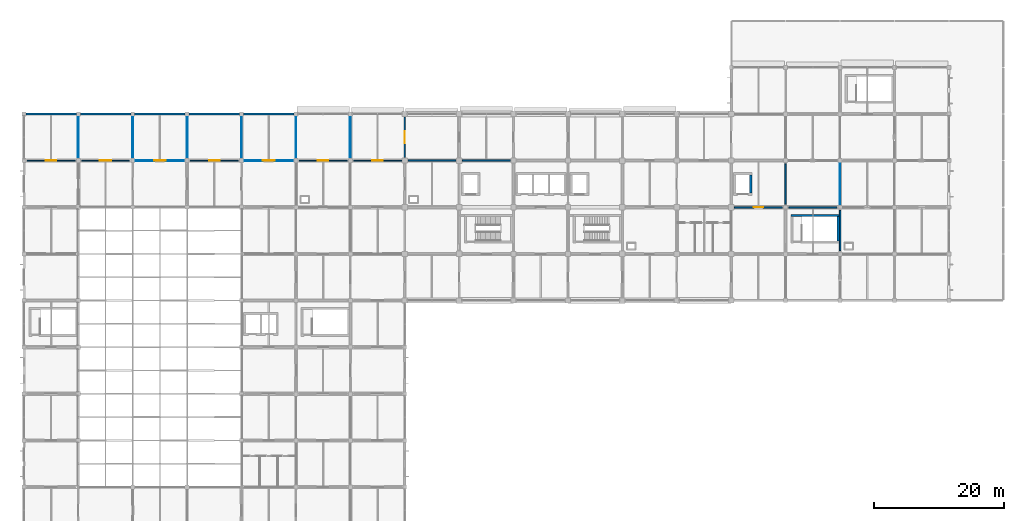
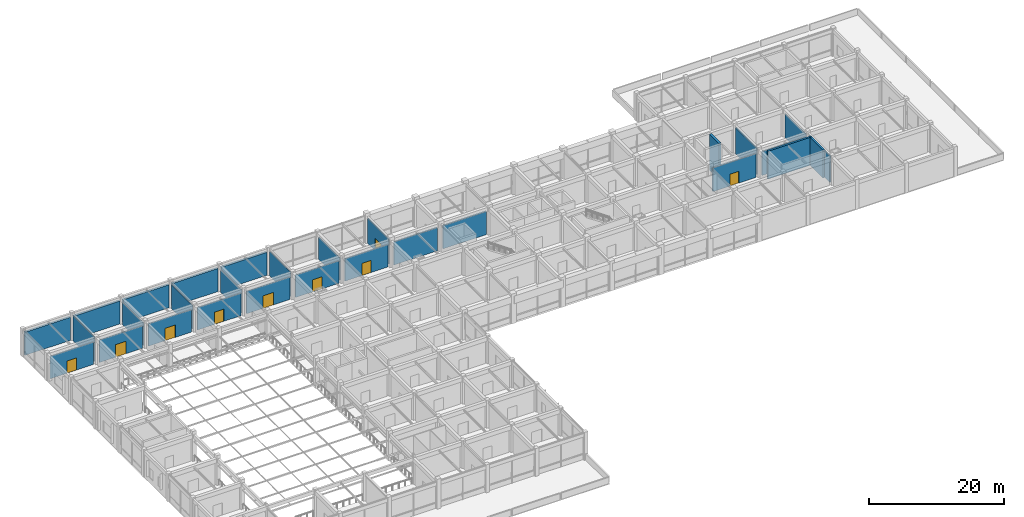
# One storey, part 29 of 38: 29 walls, 9 doors, 9 openings.
"""IFC4 building model written with IfcOpenShell, lengths in metres."""

import ifcopenshell
import ifcopenshell.guid

model = None  # the IFC model being written
_history = None  # IfcOwnerHistory: only IFC2X3 demands one
_inside = {}  # id of a spatial element -> (the spatial element, [elements in it])
_under = {}  # id of a project, library or spatial element -> (it, [spatial elements below it])
_declared = {}  # id of a project -> (the project, [libraries it declares])
_typed = {}  # id of a type object -> (the type object, [elements of that type])
_made_of = {}  # id of a material, layer set ... -> (it, [elements and type objects made of it])


def new_model(schema):
    """Start an empty IFC model of exactly this schema.

    Asked for "IFC4X3", IfcOpenShell would pick the latest addendum, in which some entities
    have other attributes; the version numbers below select the first issue.
    IFC2X3 requires an IfcOwnerHistory on every rooted entity: one is made here for all.
    """
    global model, _history
    if schema == "IFC4X3":
        model = ifcopenshell.file(schema_version=(4, 3, 0, 0))
    else:
        model = ifcopenshell.file(schema=schema)
    _inside.clear()
    _under.clear()
    _declared.clear()
    _typed.clear()
    _made_of.clear()
    _history = None
    if model.schema == "IFC2X3":
        org = make("IfcOrganization", Name="unknown")
        user = make(
            "IfcPersonAndOrganization",
            ThePerson=make("IfcPerson", FamilyName="unknown"),
            TheOrganization=org,
        )
        app = make(
            "IfcApplication",
            ApplicationDeveloper=org,
            Version="unknown",
            ApplicationFullName="unknown",
            ApplicationIdentifier="unknown",
        )
        _history = make(
            "IfcOwnerHistory",
            OwningUser=user,
            OwningApplication=app,
            ChangeAction="ADDED",
            CreationDate=0,
        )
    return model


def make(cls, **values):
    """One entity of the class cls with the attributes given. An attribute that is None is left unset."""
    return model.create_entity(
        cls, **{name: value for name, value in values.items() if value is not None}
    )


def rooted(cls, **values):
    """An entity with a GlobalId (a new one), such as an element, a storey or a relation."""
    return make(cls, GlobalId=ifcopenshell.guid.new(), OwnerHistory=_history, **values)


def si_unit(unit_type, name, prefix=None):
    """IfcSIUnit, for example si_unit("LENGTHUNIT", "METRE", prefix="MILLI")."""
    return make("IfcSIUnit", UnitType=unit_type, Prefix=prefix, Name=name)


def derived_unit(unit_type, elements):
    """IfcDerivedUnit: a product of units, each with its exponent."""
    return make(
        "IfcDerivedUnit",
        Elements=[
            make("IfcDerivedUnitElement", Unit=unit, Exponent=power)
            for unit, power in elements
        ],
        UnitType=unit_type,
    )


def assignment(units):
    """IfcUnitAssignment: the units of a project."""
    return None if units is None else make("IfcUnitAssignment", Units=units)


def point(xyz):
    """IfcCartesianPoint."""
    return None if xyz is None else make("IfcCartesianPoint", Coordinates=xyz)


def direction(xyz):
    """IfcDirection."""
    return None if xyz is None else make("IfcDirection", DirectionRatios=xyz)


def frame(location, z_axis=None, x_axis=None):
    """IfcAxis2Placement3D, a coordinate frame: its origin and axes. An axis left out is left unset."""
    return make(
        "IfcAxis2Placement3D",
        Location=point(location),
        Axis=direction(z_axis),
        RefDirection=direction(x_axis),
    )


def frame_2d(location, x_axis=None):
    """IfcAxis2Placement2D, a coordinate frame in the plane: its origin and x axis."""
    return make(
        "IfcAxis2Placement2D", Location=point(location), RefDirection=direction(x_axis)
    )


def origin():
    """The frame at (0, 0, 0) with its axes left unset."""
    return frame((0.0, 0.0, 0.0))


def place(relative_to, where):
    """IfcLocalPlacement: puts the frame where relative to a parent placement (None: the world)."""
    return make(
        "IfcLocalPlacement", PlacementRelTo=relative_to, RelativePlacement=where
    )


def context(
    kind, dimensions, precision=None, world=None, true_north=None, identifier=None
):
    """IfcGeometricRepresentationContext, for example the 3D "Model" context."""
    return make(
        "IfcGeometricRepresentationContext",
        ContextIdentifier=identifier,
        ContextType=kind,
        CoordinateSpaceDimension=dimensions,
        Precision=precision,
        WorldCoordinateSystem=world,
        TrueNorth=true_north,
    )


def subcontext(parent, identifier, kind, view, scale=None):
    """IfcGeometricRepresentationSubContext, for example "Body" below "Model"."""
    return make(
        "IfcGeometricRepresentationSubContext",
        ContextIdentifier=identifier,
        ContextType=kind,
        ParentContext=parent,
        TargetScale=scale,
        TargetView=view,
    )


def project(units=None, contexts=None):
    """IfcProject with its units and contexts."""
    return rooted(
        "IfcProject",
        Name="project",
        RepresentationContexts=contexts,
        UnitsInContext=assignment(units),
    )


def spatial(cls, under=None, at=None, **own):
    """A site, building, storey or space (cls), placed at a placement, below another one or the project."""
    s = rooted(cls, ObjectPlacement=at, **own)
    if under is not None:
        _under.setdefault(under.id(), (under, []))[1].append(s)
    return s


def profile(cls, at=None, kind="AREA", **sizes):
    """A parametric profile (cls). Its sizes go by their IFC names, for example OverallWidth=200.0."""
    return make(cls, ProfileType=kind, Position=at, **sizes)


def rectangle(**sizes):
    """IfcRectangleProfileDef."""
    return profile("IfcRectangleProfileDef", **sizes)


def extrude(swept, where, along, depth):
    """IfcExtrudedAreaSolid: the profile swept, set in the frame where, extruded along a direction by depth."""
    return make(
        "IfcExtrudedAreaSolid",
        SweptArea=swept,
        Position=where,
        ExtrudedDirection=direction(along),
        Depth=depth,
    )


def shape(context_of_items, identifier, shape_type, items):
    """IfcShapeRepresentation: the items that make up one representation, for example the "Body"."""
    return make(
        "IfcShapeRepresentation",
        ContextOfItems=context_of_items,
        RepresentationIdentifier=identifier,
        RepresentationType=shape_type,
        Items=items,
    )


def material(Name=None, Category=None):
    """IfcMaterial."""
    return make("IfcMaterial", Name=Name, Category=Category)


def layer(
    of_material, thickness, ventilated=None, Name=None, Category=None, Priority=None
):
    """IfcMaterialLayer: one layer of a wall or slab, of a material (None: an air gap)."""
    return make(
        "IfcMaterialLayer",
        Material=of_material,
        LayerThickness=thickness,
        IsVentilated=ventilated,
        Name=Name,
        Category=Category,
        Priority=Priority,
    )


def layer_set(layers, Name=None):
    """IfcMaterialLayerSet."""
    return make("IfcMaterialLayerSet", MaterialLayers=layers, LayerSetName=Name)


def made_of(thing, what):
    """Note that an element or type object is made of a material, layer set ...; save() writes the relation."""
    if what is not None:
        _made_of.setdefault(what.id(), (what, []))[1].append(thing)
    return thing


def type_object(cls, material=None, **own):
    """A type object (cls), such as IfcWallType, which elements share."""
    return made_of(rooted(cls, **own), material)


def element(
    cls,
    number,
    at=None,
    inside=None,
    cuts=None,
    type_object=None,
    material=None,
    context=None,
    identifier="Body",
    shape_type=None,
    held_by="IfcProductDefinitionShape",
    body=None,
    shapes=None,
    **own,
):
    """One element of the class cls, such as IfcWall. Its Tag is "e" and its number.

    at: its placement. inside: the storey or other place that contains it. cuts: it is an
    opening in that element (IfcRelVoidsElement). A single representation is given by context,
    identifier, shape_type and body (its items); several are given by shapes. held_by: the class
    of the entity that holds the representations. save() writes the other relations.
    """
    e = rooted(cls, Tag="e%d" % number, ObjectPlacement=at, **own)
    if body is not None:
        shapes = [shape(context, identifier, shape_type, body)]
    if shapes is not None:
        e.Representation = make(held_by, Representations=shapes)
    if inside is not None:
        _inside.setdefault(inside.id(), (inside, []))[1].append(e)
    if cuts is not None:
        rooted(
            "IfcRelVoidsElement", RelatingBuildingElement=cuts, RelatedOpeningElement=e
        )
    if type_object is not None:
        _typed.setdefault(type_object.id(), (type_object, []))[1].append(e)
    return made_of(e, material)


def fill(opening, filler):
    """IfcRelFillsElement: the door or window that sits in an opening."""
    return rooted(
        "IfcRelFillsElement",
        RelatingOpeningElement=opening,
        RelatedBuildingElement=filler,
    )


def aggregate(whole, parts):
    """IfcRelAggregates: a whole, such as a stair, and the parts it consists of."""
    return rooted("IfcRelAggregates", RelatingObject=whole, RelatedObjects=parts)


def save(model, path):
    """Write the relations noted so far, then the file.

    IfcRelAggregates (storeys below a building ...), IfcRelContainedInSpatialStructure (elements
    in a storey), IfcRelDefinesByType, IfcRelAssociatesMaterial and IfcRelDeclares: one each for
    every whole, place, type object, material and project.
    """
    for whole, parts in _under.values():
        aggregate(whole, parts)
    for where, things in _inside.values():
        rooted(
            "IfcRelContainedInSpatialStructure",
            RelatedElements=things,
            RelatingStructure=where,
        )
    for kind, things in _typed.values():
        rooted("IfcRelDefinesByType", RelatedObjects=things, RelatingType=kind)
    for what, things in _made_of.values():
        rooted("IfcRelAssociatesMaterial", RelatedObjects=things, RelatingMaterial=what)
    for by, libraries in _declared.values():
        rooted("IfcRelDeclares", RelatingContext=by, RelatedDefinitions=libraries)
    model.write(path)


model = new_model("IFC4")

# Units and contexts
model_context = context("Model", 3, precision=1e-05, world=origin(), true_north=direction((0.0, 1.0)))
body_context = subcontext(model_context, "Body", "Model", "MODEL_VIEW")
ifc_project = project(units=[si_unit("LENGTHUNIT", "METRE"), si_unit("AREAUNIT", "SQUARE_METRE"), si_unit("VOLUMEUNIT", "CUBIC_METRE"), si_unit("PLANEANGLEUNIT", "RADIAN"), si_unit("MASSUNIT", "GRAM", prefix="KILO"), derived_unit("THERMALTRANSMITTANCEUNIT", [(si_unit("MASSUNIT", "GRAM", prefix="KILO"), 1), (si_unit("TIMEUNIT", "SECOND"), -3), (si_unit("THERMODYNAMICTEMPERATUREUNIT", "KELVIN"), -1)])], contexts=[model_context])

# Site, building, storey
site_placement = place(None, origin())
site = spatial("IfcSite", under=ifc_project, at=site_placement, CompositionType="ELEMENT")
building_placement = place(site_placement, origin())
building = spatial("IfcBuilding", under=site, at=building_placement, Name="Veldstrom Oceanarium and Marine Research Institute", CompositionType="ELEMENT")
storey_placement = place(building_placement, frame((0.0, 0.0, 16.800048828125)))
storey = spatial("IfcBuildingStorey", under=building, at=storey_placement, Name="L03", CompositionType="ELEMENT", Elevation=16.800048828125)

# Walls
ifc_material_1 = material(Name="Masonry Cavity Wall", Category="masonry")
ifc_layer_1 = layer(ifc_material_1, 0.340087890625)
ifc_layer_set_1 = layer_set([ifc_layer_1], Name="ARC-WAL-EW4")
wall_type_1 = type_object("IfcWallType", Name="ARC-WAL-EW4", PredefinedType="SOLIDWALL", material=ifc_layer_set_1)
wall_1_placement = place(storey_placement, frame((8.699951171875, 72.0, 0.0), z_axis=(0.0, 0.0, 1.0), x_axis=(1.0, 0.0, 0.0)))
element("IfcWall", 1, at=wall_1_placement, inside=storey, type_object=wall_type_1, Name="Exterior Facade Wall EW4 L03-153", PredefinedType="SOLIDWALL", context=body_context, shape_type="SweptSolid", body=[
    extrude(rectangle(XDim=7.800048828125, YDim=0.340087890625, at=frame_2d((3.89990234375, 0.0))), origin(), (0.0, 0.0, 1.0), 4.169921875),
])
wall_2_placement = place(storey_placement, frame((17.10009765625, 72.0, 0.0), z_axis=(0.0, 0.0, 1.0), x_axis=(1.0, 0.0, 0.0)))
element("IfcWall", 2, at=wall_2_placement, inside=storey, type_object=wall_type_1, Name="Exterior Facade Wall EW4 L03-154", PredefinedType="SOLIDWALL", context=body_context, shape_type="SweptSolid", body=[
    extrude(rectangle(XDim=7.7998046875, YDim=0.340087890625, at=frame_2d((3.89990234375, 0.0))), origin(), (0.0, 0.0, 1.0), 4.169921875),
])
for number, where, z_axis, x_axis, name in (
    (3, (25.5, 72.0, 0.0), (0.0, 0.0, 1.0), (1.0, 0.0, 0.0), "Exterior Facade Wall EW4 L03-155"),
    (4, (33.89990234375, 72.0, 0.0), (0.0, 0.0, 1.0), (1.0, 0.0, 0.0), "Exterior Facade Wall EW4 L03-156"),
    (5, (42.300048828125, 72.0, 0.0), (0.0, 0.0, 1.0), (1.0, 0.0, 0.0), "Exterior Facade Wall EW4 L03-157"),
):
    element("IfcWall", number, at=place(storey_placement, frame(where, z_axis=z_axis, x_axis=x_axis)), inside=storey, type_object=wall_type_1, Name=name, PredefinedType="SOLIDWALL", context=body_context, shape_type="SweptSolid", body=[
        extrude(rectangle(XDim=7.800048828125, YDim=0.340087890625, at=frame_2d((3.89990234375, 0.0))), origin(), (0.0, 0.0, 1.0), 4.169921875),
    ])
ifc_material_2 = material(Name="Masonry Fire Compartment Wall", Category="masonry")
ifc_layer_2 = layer(ifc_material_2, 0.22998046875)
ifc_layer_set_2 = layer_set([ifc_layer_2], Name="ARC-WAL-PT1")
wall_type_2 = type_object("IfcWallType", Name="ARC-WAL-PT1", PredefinedType="PARTITIONING", material=ifc_layer_set_2)
wall_3_placement = place(storey_placement, frame((76.10009765625, 64.800048828125, 0.0), z_axis=(0.0, 0.0, 1.0), x_axis=(1.0, 0.0, 0.0)))
element("IfcWall", 6, at=wall_3_placement, inside=storey, type_object=wall_type_2, Name="Interior Partition PT1 L03-1336", PredefinedType="PARTITIONING", context=body_context, shape_type="SweptSolid", body=[
    extrude(rectangle(XDim=7.39990234375, YDim=0.22998046875, at=frame_2d((3.699951171875, 0.0))), origin(), (0.0, 0.0, 1.0), 4.195068359375),
])

# Wall, opening, door
wall_4_placement = place(storey_placement, frame((118.10009765625, 57.60009765625, 0.0), z_axis=(0.0, 0.0, 1.0), x_axis=(1.0, 0.0, 0.0)))
wall_4 = element("IfcWall", 7, at=wall_4_placement, inside=storey, type_object=wall_type_2, Name="Interior Partition PT1 L03-1369", PredefinedType="PARTITIONING", context=body_context, shape_type="SweptSolid", body=[
    extrude(rectangle(XDim=7.39990234375, YDim=0.22998046875, at=frame_2d((3.699951171875, 0.0))), origin(), (0.0, 0.0, 1.0), 4.294921875),
])
opening_1_placement = place(wall_4_placement, frame((2.949951171875, 0.0, 0.0)))
opening_1 = element("IfcOpeningElement", 8, at=opening_1_placement, cuts=wall_4, Name="Opening D-L03-808", PredefinedType="OPENING", context=body_context, shape_type="SweptSolid", body=[
    extrude(rectangle(XDim=1.5, YDim=2.14990234375, at=frame_2d((0.75, 1.074951171875))), frame((0.0, 0.125, 0.0), z_axis=(0.0, -1.0, 0.0), x_axis=(1.0, 0.0, 0.0)), (0.0, 0.0, 1.0), 0.25),
])
ifc_material_3 = material(Name="Painted Steel Lobby Fire Door", Category="steel")
door_type_1 = type_object("IfcDoorType", Name="ARC-DOR-SD2", OperationType="DOUBLE_DOOR_SINGLE_SWING", PredefinedType="DOOR", material=ifc_material_3)
door_1_placement = place(opening_1_placement, frame((1.5, 0.0, 0.0), z_axis=(0.0, 0.0, 1.0), x_axis=(-1.0, 0.0, 0.0)))
door_1 = element("IfcDoor", 9, at=door_1_placement, inside=storey, type_object=door_type_1, Name="Interior Door D-L03-808", OperationType="DOUBLE_DOOR_SINGLE_SWING", OverallHeight=2.14990234375, OverallWidth=1.5, PredefinedType="DOOR", context=body_context, shape_type="SweptSolid", body=[
    extrude(rectangle(XDim=1.5, YDim=2.14990234375, at=frame_2d((0.75, 1.074951171875))), frame((0.0, 0.02490234375, 0.0), z_axis=(0.0, -1.0, 0.0), x_axis=(1.0, 0.0, 0.0)), (0.0, 0.0, 1.0), 0.050048828125),
])
fill(opening_1, door_1)

# Walls
wall_5_placement = place(storey_placement, frame((126.0, 58.10009765625, 0.0), z_axis=(0.0, 0.0, 1.0), x_axis=(0.0, 1.0, 0.0)))
element("IfcWall", 10, at=wall_5_placement, inside=storey, type_object=wall_type_2, Name="Interior Partition PT1 L03-1370", PredefinedType="PARTITIONING", context=body_context, shape_type="SweptSolid", body=[
    extrude(rectangle(XDim=6.199951171875, YDim=0.22998046875, at=frame_2d((3.10009765625, 0.0))), origin(), (0.0, 0.0, 1.0), 4.7548828125),
])
wall_6_placement = place(storey_placement, frame((134.39990234375, 50.89990234375, 0.0), z_axis=(0.0, 0.0, 1.0), x_axis=(0.0, 1.0, 0.0)))
element("IfcWall", 11, at=wall_6_placement, inside=storey, type_object=wall_type_2, Name="Interior Partition PT1 L03-1377", PredefinedType="PARTITIONING", context=body_context, shape_type="SweptSolid", body=[
    extrude(rectangle(XDim=6.2001953125, YDim=0.22998046875, at=frame_2d((3.10009765625, 0.0))), origin(), (0.0, 0.0, 1.0), 4.7548828125),
])
wall_7_placement = place(storey_placement, frame((126.5, 57.60009765625, 0.0), z_axis=(0.0, 0.0, 1.0), x_axis=(1.0, 0.0, 0.0)))
element("IfcWall", 12, at=wall_7_placement, inside=storey, type_object=wall_type_2, Name="Interior Partition PT1 L03-1378", PredefinedType="PARTITIONING", context=body_context, shape_type="SweptSolid", body=[
    extrude(rectangle(XDim=7.39990234375, YDim=0.22998046875, at=frame_2d((3.699951171875, 0.0))), origin(), (0.0, 0.0, 1.0), 4.294921875),
])

# Wall, opening, door
ifc_material_4 = material(Name="Masonry Acoustic Lab Partition", Category="masonry")
ifc_layer_3 = layer(ifc_material_4, 0.205078125)
ifc_layer_set_3 = layer_set([ifc_layer_3], Name="ARC-WAL-PT2")
wall_type_3 = type_object("IfcWallType", Name="ARC-WAL-PT2", PredefinedType="PARTITIONING", material=ifc_layer_set_3)
wall_8_placement = place(storey_placement, frame((67.199951171875, 65.300048828125, 0.0), z_axis=(0.0, 0.0, 1.0), x_axis=(0.0, 1.0, 0.0)))
wall_8 = element("IfcWall", 13, at=wall_8_placement, inside=storey, type_object=wall_type_3, Name="Interior Partition PT2 L03-1323", PredefinedType="PARTITIONING", context=body_context, shape_type="SweptSolid", body=[
    extrude(rectangle(XDim=6.199951171875, YDim=0.205078125, at=frame_2d((3.10009765625, 0.0))), origin(), (0.0, 0.0, 1.0), 4.530029296875),
])
opening_2_placement = place(wall_8_placement, frame((2.199951171875, 0.0, 0.0)))
opening_2 = element("IfcOpeningElement", 14, at=opening_2_placement, cuts=wall_8, Name="Opening D-L03-780", PredefinedType="OPENING", context=body_context, shape_type="SweptSolid", body=[
    extrude(rectangle(XDim=1.800048828125, YDim=2.25, at=frame_2d((0.89990234375, 1.125))), frame((0.0, 0.112548828125, 0.0), z_axis=(0.0, -1.0, 0.0), x_axis=(1.0, 0.0, 0.0)), (0.0, 0.0, 1.0), 0.22509765625),
])
ifc_material_5 = material(Name="Acoustic Timber Gallery Door", Category="wood")
door_type_2 = type_object("IfcDoorType", Name="ARC-DOR-ID01", OperationType="DOUBLE_DOOR_SINGLE_SWING", PredefinedType="DOOR", material=ifc_material_5)
door_2_placement = place(opening_2_placement, frame((1.800048828125, 0.0, 0.0), z_axis=(0.0, 0.0, 1.0), x_axis=(-1.0, 0.0, 0.0)))
door_2 = element("IfcDoor", 15, at=door_2_placement, inside=storey, type_object=door_type_2, Name="Interior Door D-L03-780", OperationType="DOUBLE_DOOR_SINGLE_SWING", OverallHeight=2.25, OverallWidth=1.800048828125, PredefinedType="DOOR", context=body_context, shape_type="SweptSolid", body=[
    extrude(rectangle(XDim=1.800048828125, YDim=2.25, at=frame_2d((0.89990234375, 1.125))), frame((0.0, 0.02490234375, 0.0), z_axis=(0.0, -1.0, 0.0), x_axis=(1.0, 0.0, 0.0)), (0.0, 0.0, 1.0), 0.050048828125),
])
fill(opening_2, door_2)

# Wall
wall_9_placement = place(storey_placement, frame((67.699951171875, 64.800048828125, 0.0), z_axis=(0.0, 0.0, 1.0), x_axis=(1.0, 0.0, 0.0)))
element("IfcWall", 16, at=wall_9_placement, inside=storey, type_object=wall_type_3, Name="Interior Partition PT2 L03-1329", PredefinedType="PARTITIONING", context=body_context, shape_type="SweptSolid", body=[
    extrude(rectangle(XDim=7.400146484375, YDim=0.205078125, at=frame_2d((3.7001953125, 0.0))), origin(), (0.0, 0.0, 1.0), 4.195068359375),
])

# Wall, opening, door
ifc_material_6 = material(Name="Drywall Corridor Partition", Category="gypsum")
ifc_layer_4 = layer(ifc_material_6, 0.155029296875)
ifc_layer_set_4 = layer_set([ifc_layer_4], Name="ARC-WAL-PT4")
wall_type_4 = type_object("IfcWallType", Name="ARC-WAL-PT4", PredefinedType="PARTITIONING", material=ifc_layer_set_4)
wall_10_placement = place(storey_placement, frame((17.300048828125, 64.800048828125, 0.0), z_axis=(0.0, 0.0, 1.0), x_axis=(1.0, 0.0, 0.0)))
wall_10 = element("IfcWall", 17, at=wall_10_placement, inside=storey, type_object=wall_type_4, Name="Interior Partition PT4 L03-1268", PredefinedType="PARTITIONING", context=body_context, shape_type="SweptSolid", body=[
    extrude(rectangle(XDim=7.39990234375, YDim=0.155029296875, at=frame_2d((3.699951171875, 0.0))), origin(), (0.0, 0.0, 1.0), 4.070068359375),
])
opening_3_placement = place(wall_10_placement, frame((2.800048828125, 0.0, 0.0)))
opening_3 = element("IfcOpeningElement", 18, at=opening_3_placement, cuts=wall_10, Name="Opening D-L03-746", PredefinedType="OPENING", context=body_context, shape_type="SweptSolid", body=[
    extrude(rectangle(XDim=1.800048828125, YDim=2.25, at=frame_2d((0.89990234375, 1.125))), frame((0.0, 0.08740234375, 0.0), z_axis=(0.0, -1.0, 0.0), x_axis=(1.0, 0.0, 0.0)), (0.0, 0.0, 1.0), 0.175048828125),
])
door_3_placement = place(opening_3_placement, frame((1.800048828125, 0.0, 0.0), z_axis=(0.0, 0.0, 1.0), x_axis=(-1.0, 0.0, 0.0)))
door_3 = element("IfcDoor", 19, at=door_3_placement, inside=storey, type_object=door_type_2, Name="Interior Door D-L03-746", OperationType="DOUBLE_DOOR_SINGLE_SWING", OverallHeight=2.25, OverallWidth=1.800048828125, PredefinedType="DOOR", context=body_context, shape_type="SweptSolid", body=[
    extrude(rectangle(XDim=1.800048828125, YDim=2.25, at=frame_2d((0.89990234375, 1.125))), frame((0.0, 0.02490234375, 0.0), z_axis=(0.0, -1.0, 0.0), x_axis=(1.0, 0.0, 0.0)), (0.0, 0.0, 1.0), 0.050048828125),
])
fill(opening_3, door_3)

wall_11_placement = place(storey_placement, frame((34.10009765625, 64.800048828125, 0.0), z_axis=(0.0, 0.0, 1.0), x_axis=(1.0, 0.0, 0.0)))
wall_11 = element("IfcWall", 20, at=wall_11_placement, inside=storey, type_object=wall_type_4, Name="Interior Partition PT4 L03-1276", PredefinedType="PARTITIONING", context=body_context, shape_type="SweptSolid", body=[
    extrude(rectangle(XDim=7.39990234375, YDim=0.155029296875, at=frame_2d((3.699951171875, 0.0))), origin(), (0.0, 0.0, 1.0), 4.070068359375),
])
opening_4_placement = place(wall_11_placement, frame((2.89990234375, 0.0, 0.0)))
opening_4 = element("IfcOpeningElement", 21, at=opening_4_placement, cuts=wall_11, Name="Opening D-L03-751", PredefinedType="OPENING", context=body_context, shape_type="SweptSolid", body=[
    extrude(rectangle(XDim=1.60009765625, YDim=2.199951171875, at=frame_2d((0.800048828125, 1.10009765625))), frame((0.0, 0.08740234375, 0.0), z_axis=(0.0, -1.0, 0.0), x_axis=(1.0, 0.0, 0.0)), (0.0, 0.0, 1.0), 0.175048828125),
])
ifc_material_7 = material(Name="Acoustic Timber Corridor Door", Category="wood")
door_type_3 = type_object("IfcDoorType", Name="ARC-DOR-ID02", OperationType="DOUBLE_DOOR_SINGLE_SWING", PredefinedType="DOOR", material=ifc_material_7)
door_4_placement = place(opening_4_placement, frame((1.60009765625, 0.0, 0.0), z_axis=(0.0, 0.0, 1.0), x_axis=(-1.0, 0.0, 0.0)))
door_4 = element("IfcDoor", 22, at=door_4_placement, inside=storey, type_object=door_type_3, Name="Interior Door D-L03-751", OperationType="DOUBLE_DOOR_SINGLE_SWING", OverallHeight=2.199951171875, OverallWidth=1.60009765625, PredefinedType="DOOR", context=body_context, shape_type="SweptSolid", body=[
    extrude(rectangle(XDim=1.60009765625, YDim=2.199951171875, at=frame_2d((0.800048828125, 1.10009765625))), frame((0.0, 0.02490234375, 0.0), z_axis=(0.0, -1.0, 0.0), x_axis=(1.0, 0.0, 0.0)), (0.0, 0.0, 1.0), 0.050048828125),
])
fill(opening_4, door_4)

wall_12_placement = place(storey_placement, frame((50.89990234375, 64.800048828125, 0.0), z_axis=(0.0, 0.0, 1.0), x_axis=(1.0, 0.0, 0.0)))
wall_12 = element("IfcWall", 23, at=wall_12_placement, inside=storey, type_object=wall_type_4, Name="Interior Partition PT4 L03-1310", PredefinedType="PARTITIONING", context=body_context, shape_type="SweptSolid", body=[
    extrude(rectangle(XDim=7.400146484375, YDim=0.155029296875, at=frame_2d((3.7001953125, 0.0))), origin(), (0.0, 0.0, 1.0), 4.070068359375),
])
opening_5_placement = place(wall_12_placement, frame((2.89990234375, 0.0, 0.0)))
opening_5 = element("IfcOpeningElement", 24, at=opening_5_placement, cuts=wall_12, Name="Opening D-L03-769", PredefinedType="OPENING", context=body_context, shape_type="SweptSolid", body=[
    extrude(rectangle(XDim=1.60009765625, YDim=2.199951171875, at=frame_2d((0.800048828125, 1.10009765625))), frame((0.0, 0.08740234375, 0.0), z_axis=(0.0, -1.0, 0.0), x_axis=(1.0, 0.0, 0.0)), (0.0, 0.0, 1.0), 0.175048828125),
])
door_5_placement = place(opening_5_placement, frame((1.60009765625, 0.0, 0.0), z_axis=(0.0, 0.0, 1.0), x_axis=(-1.0, 0.0, 0.0)))
door_5 = element("IfcDoor", 25, at=door_5_placement, inside=storey, type_object=door_type_3, Name="Interior Door D-L03-769", OperationType="DOUBLE_DOOR_SINGLE_SWING", OverallHeight=2.199951171875, OverallWidth=1.60009765625, PredefinedType="DOOR", context=body_context, shape_type="SweptSolid", body=[
    extrude(rectangle(XDim=1.60009765625, YDim=2.199951171875, at=frame_2d((0.800048828125, 1.10009765625))), frame((0.0, 0.02490234375, 0.0), z_axis=(0.0, -1.0, 0.0), x_axis=(1.0, 0.0, 0.0)), (0.0, 0.0, 1.0), 0.050048828125),
])
fill(opening_5, door_5)

ifc_material_8 = material(Name="Moisture-Resistant Wet-Area Partition", Category="masonry")
ifc_layer_5 = layer(ifc_material_8, 0.139892578125)
ifc_layer_set_5 = layer_set([ifc_layer_5], Name="ARC-WAL-PT5")
wall_type_5 = type_object("IfcWallType", Name="ARC-WAL-PT5", PredefinedType="PARTITIONING", material=ifc_layer_set_5)
wall_13_placement = place(storey_placement, frame((8.89990234375, 64.800048828125, 0.0), z_axis=(0.0, 0.0, 1.0), x_axis=(1.0, 0.0, 0.0)))
wall_13 = element("IfcWall", 26, at=wall_13_placement, inside=storey, type_object=wall_type_5, Name="Interior Partition PT5 L03-1264", PredefinedType="PARTITIONING", context=body_context, shape_type="SweptSolid", body=[
    extrude(rectangle(XDim=7.400146484375, YDim=0.139892578125, at=frame_2d((3.7001953125, 0.0))), origin(), (0.0, 0.0, 1.0), 4.070068359375),
])
opening_6_placement = place(wall_13_placement, frame((2.89990234375, 0.0, 0.0)))
opening_6 = element("IfcOpeningElement", 27, at=opening_6_placement, cuts=wall_13, Name="Opening D-L03-743", PredefinedType="OPENING", context=body_context, shape_type="SweptSolid", body=[
    extrude(rectangle(XDim=1.60009765625, YDim=2.199951171875, at=frame_2d((0.800048828125, 1.10009765625))), frame((0.0, 0.079833984375, 0.0), z_axis=(0.0, -1.0, 0.0), x_axis=(1.0, 0.0, 0.0)), (0.0, 0.0, 1.0), 0.159912109375),
])
door_6_placement = place(opening_6_placement, origin())
door_6 = element("IfcDoor", 28, at=door_6_placement, inside=storey, type_object=door_type_3, Name="Interior Door D-L03-743", OperationType="DOUBLE_DOOR_SINGLE_SWING", OverallHeight=2.199951171875, OverallWidth=1.60009765625, PredefinedType="DOOR", context=body_context, shape_type="SweptSolid", body=[
    extrude(rectangle(XDim=1.60009765625, YDim=2.199951171875, at=frame_2d((0.800048828125, 1.10009765625))), frame((0.0, 0.02490234375, 0.0), z_axis=(0.0, -1.0, 0.0), x_axis=(1.0, 0.0, 0.0)), (0.0, 0.0, 1.0), 0.050048828125),
])
fill(opening_6, door_6)

wall_14_placement = place(storey_placement, frame((25.699951171875, 64.800048828125, 0.0), z_axis=(0.0, 0.0, 1.0), x_axis=(1.0, 0.0, 0.0)))
wall_14 = element("IfcWall", 29, at=wall_14_placement, inside=storey, type_object=wall_type_5, Name="Interior Partition PT5 L03-1272", PredefinedType="PARTITIONING", context=body_context, shape_type="SweptSolid", body=[
    extrude(rectangle(XDim=7.400146484375, YDim=0.139892578125, at=frame_2d((3.7001953125, 0.0))), origin(), (0.0, 0.0, 1.0), 4.070068359375),
])
opening_7_placement = place(wall_14_placement, frame((2.800048828125, 0.0, 0.0)))
opening_7 = element("IfcOpeningElement", 30, at=opening_7_placement, cuts=wall_14, Name="Opening D-L03-748", PredefinedType="OPENING", context=body_context, shape_type="SweptSolid", body=[
    extrude(rectangle(XDim=1.800048828125, YDim=2.25, at=frame_2d((0.89990234375, 1.125))), frame((0.0, 0.079833984375, 0.0), z_axis=(0.0, -1.0, 0.0), x_axis=(1.0, 0.0, 0.0)), (0.0, 0.0, 1.0), 0.159912109375),
])
door_7_placement = place(opening_7_placement, origin())
door_7 = element("IfcDoor", 31, at=door_7_placement, inside=storey, type_object=door_type_2, Name="Interior Door D-L03-748", OperationType="DOUBLE_DOOR_SINGLE_SWING", OverallHeight=2.25, OverallWidth=1.800048828125, PredefinedType="DOOR", context=body_context, shape_type="SweptSolid", body=[
    extrude(rectangle(XDim=1.800048828125, YDim=2.25, at=frame_2d((0.89990234375, 1.125))), frame((0.0, 0.02490234375, 0.0), z_axis=(0.0, -1.0, 0.0), x_axis=(1.0, 0.0, 0.0)), (0.0, 0.0, 1.0), 0.050048828125),
])
fill(opening_7, door_7)

wall_15_placement = place(storey_placement, frame((42.5, 64.800048828125, 0.0), z_axis=(0.0, 0.0, 1.0), x_axis=(1.0, 0.0, 0.0)))
wall_15 = element("IfcWall", 32, at=wall_15_placement, inside=storey, type_object=wall_type_5, Name="Interior Partition PT5 L03-1293", PredefinedType="PARTITIONING", context=body_context, shape_type="SweptSolid", body=[
    extrude(rectangle(XDim=7.39990234375, YDim=0.139892578125, at=frame_2d((3.699951171875, 0.0))), origin(), (0.0, 0.0, 1.0), 4.070068359375),
])
opening_8_placement = place(wall_15_placement, frame((2.800048828125, 0.0, 0.0)))
opening_8 = element("IfcOpeningElement", 33, at=opening_8_placement, cuts=wall_15, Name="Opening D-L03-760", PredefinedType="OPENING", context=body_context, shape_type="SweptSolid", body=[
    extrude(rectangle(XDim=1.800048828125, YDim=2.25, at=frame_2d((0.89990234375, 1.125))), frame((0.0, 0.079833984375, 0.0), z_axis=(0.0, -1.0, 0.0), x_axis=(1.0, 0.0, 0.0)), (0.0, 0.0, 1.0), 0.159912109375),
])
door_8_placement = place(opening_8_placement, origin())
door_8 = element("IfcDoor", 34, at=door_8_placement, inside=storey, type_object=door_type_2, Name="Interior Door D-L03-760", OperationType="DOUBLE_DOOR_SINGLE_SWING", OverallHeight=2.25, OverallWidth=1.800048828125, PredefinedType="DOOR", context=body_context, shape_type="SweptSolid", body=[
    extrude(rectangle(XDim=1.800048828125, YDim=2.25, at=frame_2d((0.89990234375, 1.125))), frame((0.0, 0.02490234375, 0.0), z_axis=(0.0, -1.0, 0.0), x_axis=(1.0, 0.0, 0.0)), (0.0, 0.0, 1.0), 0.050048828125),
])
fill(opening_8, door_8)

wall_16_placement = place(storey_placement, frame((59.300048828125, 64.800048828125, 0.0), z_axis=(0.0, 0.0, 1.0), x_axis=(1.0, 0.0, 0.0)))
wall_16 = element("IfcWall", 35, at=wall_16_placement, inside=storey, type_object=wall_type_5, Name="Interior Partition PT5 L03-1322", PredefinedType="PARTITIONING", context=body_context, shape_type="SweptSolid", body=[
    extrude(rectangle(XDim=7.39990234375, YDim=0.139892578125, at=frame_2d((3.699951171875, 0.0))), origin(), (0.0, 0.0, 1.0), 4.070068359375),
])
opening_9_placement = place(wall_16_placement, frame((2.89990234375, 0.0, 0.0)))
opening_9 = element("IfcOpeningElement", 36, at=opening_9_placement, cuts=wall_16, Name="Opening D-L03-779", PredefinedType="OPENING", context=body_context, shape_type="SweptSolid", body=[
    extrude(rectangle(XDim=1.60009765625, YDim=2.199951171875, at=frame_2d((0.800048828125, 1.10009765625))), frame((0.0, 0.079833984375, 0.0), z_axis=(0.0, -1.0, 0.0), x_axis=(1.0, 0.0, 0.0)), (0.0, 0.0, 1.0), 0.159912109375),
])
door_9_placement = place(opening_9_placement, origin())
door_9 = element("IfcDoor", 37, at=door_9_placement, inside=storey, type_object=door_type_3, Name="Interior Door D-L03-779", OperationType="DOUBLE_DOOR_SINGLE_SWING", OverallHeight=2.199951171875, OverallWidth=1.60009765625, PredefinedType="DOOR", context=body_context, shape_type="SweptSolid", body=[
    extrude(rectangle(XDim=1.60009765625, YDim=2.199951171875, at=frame_2d((0.800048828125, 1.10009765625))), frame((0.0, 0.02490234375, 0.0), z_axis=(0.0, -1.0, 0.0), x_axis=(1.0, 0.0, 0.0)), (0.0, 0.0, 1.0), 0.050048828125),
])
fill(opening_9, door_9)

# Walls
ifc_material_9 = material(Name="Lightweight Studio Partition", Category="gypsum")
ifc_layer_6 = layer(ifc_material_9, 0.1201171875)
ifc_layer_set_6 = layer_set([ifc_layer_6], Name="ARC-WAL-PT6")
wall_type_6 = type_object("IfcWallType", Name="ARC-WAL-PT6", PredefinedType="PARTITIONING", material=ifc_layer_set_6)
wall_17_placement = place(storey_placement, frame((16.800048828125, 65.300048828125, 0.0), z_axis=(0.0, 0.0, 1.0), x_axis=(0.0, 1.0, 0.0)))
element("IfcWall", 38, at=wall_17_placement, inside=storey, type_object=wall_type_6, Name="Interior Partition PT6 L03-1265", PredefinedType="PARTITIONING", context=body_context, shape_type="SweptSolid", body=[
    extrude(rectangle(XDim=6.199951171875, YDim=0.1201171875, at=frame_2d((3.10009765625, 0.0))), origin(), (0.0, 0.0, 1.0), 4.530029296875),
])
wall_18_placement = place(storey_placement, frame((25.199951171875, 65.300048828125, 0.0), z_axis=(0.0, 0.0, 1.0), x_axis=(0.0, 1.0, 0.0)))
element("IfcWall", 39, at=wall_18_placement, inside=storey, type_object=wall_type_6, Name="Interior Partition PT6 L03-1269", PredefinedType="PARTITIONING", context=body_context, shape_type="SweptSolid", body=[
    extrude(rectangle(XDim=6.199951171875, YDim=0.1201171875, at=frame_2d((3.10009765625, 0.0))), origin(), (0.0, 0.0, 1.0), 4.119873046875),
])
wall_19_placement = place(storey_placement, frame((33.60009765625, 65.300048828125, 0.0), z_axis=(0.0, 0.0, 1.0), x_axis=(0.0, 1.0, 0.0)))
element("IfcWall", 40, at=wall_19_placement, inside=storey, type_object=wall_type_6, Name="Interior Partition PT6 L03-1273", PredefinedType="PARTITIONING", context=body_context, shape_type="SweptSolid", body=[
    extrude(rectangle(XDim=6.199951171875, YDim=0.1201171875, at=frame_2d((3.10009765625, 0.0))), origin(), (0.0, 0.0, 1.0), 4.320068359375),
])
wall_20_placement = place(storey_placement, frame((42.0, 65.300048828125, 0.0), z_axis=(0.0, 0.0, 1.0), x_axis=(0.0, 1.0, 0.0)))
element("IfcWall", 41, at=wall_20_placement, inside=storey, type_object=wall_type_6, Name="Interior Partition PT6 L03-1277", PredefinedType="PARTITIONING", context=body_context, shape_type="SweptSolid", body=[
    extrude(rectangle(XDim=6.199951171875, YDim=0.1201171875, at=frame_2d((3.10009765625, 0.0))), origin(), (0.0, 0.0, 1.0), 4.119873046875),
])
wall_21_placement = place(storey_placement, frame((50.39990234375, 65.300048828125, 0.0), z_axis=(0.0, 0.0, 1.0), x_axis=(0.0, 1.0, 0.0)))
element("IfcWall", 42, at=wall_21_placement, inside=storey, type_object=wall_type_6, Name="Interior Partition PT6 L03-1294", PredefinedType="PARTITIONING", context=body_context, shape_type="SweptSolid", body=[
    extrude(rectangle(XDim=6.199951171875, YDim=0.1201171875, at=frame_2d((3.10009765625, 0.0))), origin(), (0.0, 0.0, 1.0), 4.419921875),
])
wall_22_placement = place(storey_placement, frame((58.800048828125, 65.300048828125, 0.0), z_axis=(0.0, 0.0, 1.0), x_axis=(0.0, 1.0, 0.0)))
element("IfcWall", 43, at=wall_22_placement, inside=storey, type_object=wall_type_6, Name="Interior Partition PT6 L03-1311", PredefinedType="PARTITIONING", context=body_context, shape_type="SweptSolid", body=[
    extrude(rectangle(XDim=6.199951171875, YDim=0.1201171875, at=frame_2d((3.10009765625, 0.0))), origin(), (0.0, 0.0, 1.0), 4.119873046875),
])
wall_23_placement = place(storey_placement, frame((134.39990234375, 58.10009765625, 0.0), z_axis=(0.0, 0.0, 1.0), x_axis=(0.0, 1.0, 0.0)))
element("IfcWall", 44, at=wall_23_placement, inside=storey, type_object=wall_type_6, Name="Interior Partition PT6 L03-1379", PredefinedType="PARTITIONING", context=body_context, shape_type="SweptSolid", body=[
    extrude(rectangle(XDim=6.199951171875, YDim=0.1201171875, at=frame_2d((3.10009765625, 0.0))), origin(), (0.0, 0.0, 1.0), 4.344970703125),
])
ifc_material_10 = material(Name="Concrete C40/50", Category="concrete")
ifc_layer_7 = layer(ifc_material_10, 0.360107421875)
ifc_layer_set_7 = layer_set([ifc_layer_7], Name="STR-WAL-WC2")
wall_type_7 = type_object("IfcWallType", Name="STR-WAL-WC2", PredefinedType="SHEAR", material=ifc_layer_set_7)
wall_24_placement = place(storey_placement, frame((120.6298828125, 59.800048828125, 0.0), z_axis=(0.0, 0.0, 1.0), x_axis=(0.0, 1.0, 0.0)))
element("IfcWall", 45, at=wall_24_placement, inside=storey, type_object=wall_type_7, Name="Lift Shaft Shear Wall E L03 14/8", PredefinedType="SHEAR", context=body_context, shape_type="SweptSolid", body=[
    extrude(rectangle(XDim=2.800048828125, YDim=0.360107421875, at=frame_2d((1.39990234375, 0.0))), origin(), (0.0, 0.0, 1.0), 6.5),
])
ifc_material_11 = material(Name="Concrete C40/50", Category="concrete")
ifc_layer_8 = layer(ifc_material_11, 0.320068359375)
ifc_layer_set_8 = layer_set([ifc_layer_8], Name="STR-WAL-WC3")
wall_type_8 = type_object("IfcWallType", Name="STR-WAL-WC3", PredefinedType="SHEAR", material=ifc_layer_set_8)
wall_25_placement = place(storey_placement, frame((126.800048828125, 56.360107421875, 0.0), z_axis=(0.0, 0.0, 1.0), x_axis=(1.0, 0.0, 0.0)))
element("IfcWall", 46, at=wall_25_placement, inside=storey, type_object=wall_type_8, Name="Stair Core Shear Wall SC4-L03-N", PredefinedType="SHEAR", context=body_context, shape_type="SweptSolid", body=[
    extrude(rectangle(XDim=7.47998046875, YDim=0.320068359375, at=frame_2d((3.739990234375, 0.0))), origin(), (0.0, 0.0, 1.0), 5.050048828125),
])
wall_26_placement = place(storey_placement, frame((134.1201171875, 52.39990234375, 0.0), z_axis=(0.0, 0.0, 1.0), x_axis=(0.0, 1.0, 0.0)))
element("IfcWall", 47, at=wall_26_placement, inside=storey, type_object=wall_type_8, Name="Stair Core Shear Wall SC4-L03-E", PredefinedType="SHEAR", context=body_context, shape_type="SweptSolid", body=[
    extrude(rectangle(XDim=3.800048828125, YDim=0.320068359375, at=frame_2d((1.89990234375, 0.0))), origin(), (0.0, 0.0, 1.0), 5.050048828125),
])

save(model, "model.ifc")
